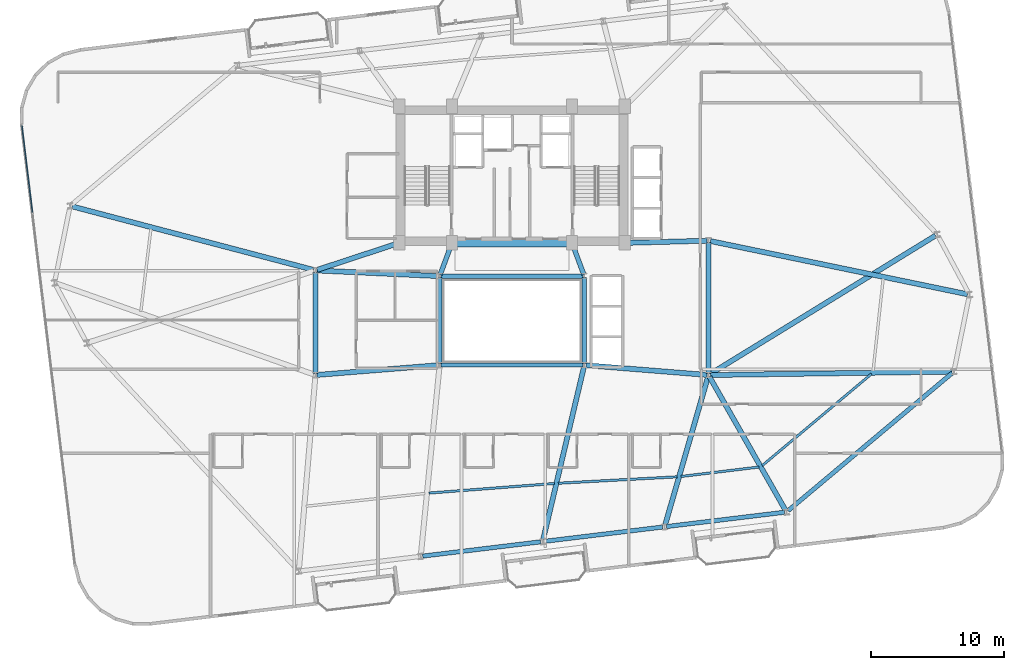
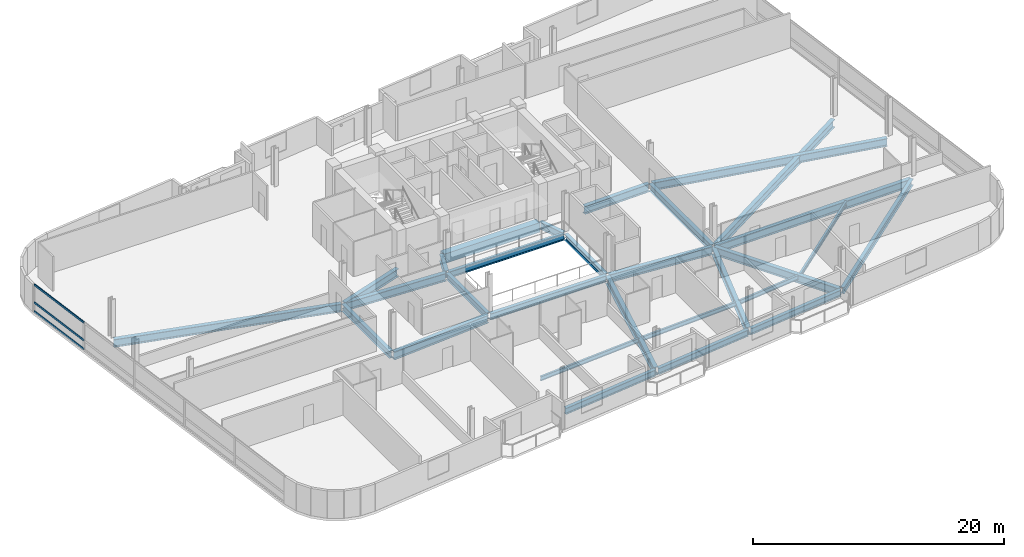
# One storey, part 7 of 22: 29 beams, 3 members, 1 element without a shape of its own.
"""IFC4 building model written with IfcOpenShell, lengths in metres."""

from ifc_helpers import new_model, si_unit, direction, frame, origin, origin_2d, place, context, subcontext, project, spatial, rectangle, hollow_rectangle, i_section, extrude, material, layer, layer_set, material_profile, profile_set, type_object, element, aggregate, save


model = new_model("IFC4")

# Units and contexts
model_context = context("Model", 3, precision=1e-05, world=origin(), true_north=direction((0.0, 1.0)))
body_context = subcontext(model_context, "Body", "Model", "MODEL_VIEW")
ifc_project = project(units=[si_unit("LENGTHUNIT", "METRE"), si_unit("AREAUNIT", "SQUARE_METRE"), si_unit("VOLUMEUNIT", "CUBIC_METRE"), si_unit("PLANEANGLEUNIT", "RADIAN"), si_unit("MASSUNIT", "GRAM", prefix="KILO")], contexts=[model_context])

# Site, building, storey
site_placement = place(None, origin())
site = spatial("IfcSite", under=ifc_project, at=site_placement, CompositionType="ELEMENT")
building_placement = place(site_placement, origin())
building = spatial("IfcBuilding", under=site, at=building_placement, Name="Varnelok Gate Tower", CompositionType="ELEMENT")
storey_placement = place(building_placement, frame((0.0, 0.0, 204.199951171875)))
storey = spatial("IfcBuildingStorey", under=building, at=storey_placement, Name="L52", CompositionType="ELEMENT", Elevation=204.199951171875)

# Beams
ifc_material_1 = material(Name="Structural Steel ASTM A992 Grade 50", Category="steel")
ifc_material_profile_1 = material_profile(ifc_material_1, i_section(OverallWidth=0.180908203125, OverallDepth=0.4169921875, WebThickness=0.010986328125, FlangeThickness=0.018310546875, FilletRadius=0.013916015625, at=origin_2d()), Name="W16X57")
ifc_profile_set_1 = profile_set([ifc_material_profile_1], Name="Structural Steel ASTM A992 Grade 50")
beam_type_1 = type_object("IfcBeamType", Name="BM-JST-W16X57", PredefinedType="JOIST", material=ifc_profile_set_1)
beam_1_placement = place(storey_placement, frame((32.93505859375, 9.91015625, -0.45849609375), z_axis=(0.997087655852, 0.076264058027, 0.0), x_axis=(-0.076264058027, 0.997087655852, 0.0)))
element("IfcBeam", 1, at=beam_1_placement, inside=storey, type_object=beam_type_1, Name="L52 Sector Floor Joist 2", PredefinedType="JOIST", context=body_context, shape_type="SweptSolid", body=[
    extrude(i_section(OverallWidth=0.180908203125, OverallDepth=0.4169921875, WebThickness=0.010986328125, FlangeThickness=0.018310546875, FilletRadius=0.013916015625, at=origin_2d()), origin(), (0.0, 0.0, 1.0), 9.498046875),
])
beam_2_placement = place(storey_placement, frame((42.684814453125, 10.65283203125, -0.45849609375), z_axis=(0.998548806547, 0.053854256504, 0.0), x_axis=(-0.053854256504, 0.998548806547, 0.0)))
element("IfcBeam", 2, at=beam_2_placement, inside=storey, type_object=beam_type_1, Name="L52 Sector Floor Joist 3", PredefinedType="JOIST", context=body_context, shape_type="SweptSolid", body=[
    extrude(i_section(OverallWidth=0.180908203125, OverallDepth=0.4169921875, WebThickness=0.010986328125, FlangeThickness=0.018310546875, FilletRadius=0.013916015625, at=origin_2d()), origin(), (0.0, 0.0, 1.0), 8.971435546875),
])
beam_3_placement = place(storey_placement, frame((51.922119140625, 11.160400390625, -0.45849609375), z_axis=(0.992731242801, 0.120352314337, 0.0), x_axis=(-0.120352314337, 0.992731242801, 0.0)))
element("IfcBeam", 3, at=beam_3_placement, inside=storey, type_object=beam_type_1, Name="L52 Sector Floor Joist 4", PredefinedType="JOIST", context=body_context, shape_type="SweptSolid", body=[
    extrude(i_section(OverallWidth=0.180908203125, OverallDepth=0.4169921875, WebThickness=0.010986328125, FlangeThickness=0.018310546875, FilletRadius=0.013916015625, at=origin_2d()), origin(), (0.0, 0.0, 1.0), 5.917236328125),
])
beam_4_placement = place(storey_placement, frame((58.042724609375, 11.9794921875, -0.45849609375), z_axis=(0.76609334983, 0.642729320434, 0.0), x_axis=(-0.642729320434, 0.76609334983, 0.0)))
element("IfcBeam", 4, at=beam_4_placement, inside=storey, type_object=beam_type_1, Name="L52 Sector Floor Joist 5", PredefinedType="JOIST", context=body_context, shape_type="SweptSolid", body=[
    extrude(i_section(OverallWidth=0.180908203125, OverallDepth=0.4169921875, WebThickness=0.010986328125, FlangeThickness=0.018310546875, FilletRadius=0.013916015625, at=origin_2d()), origin(), (0.0, 0.0, 1.0), 10.7421875),
])
ifc_material_2 = material(Name="Concrete C60/75", Category="concrete")
ifc_material_profile_2 = material_profile(ifc_material_2, rectangle(XDim=0.60009765625, YDim=0.949951171875, at=origin_2d()), Name="RC950X600")
ifc_profile_set_2 = profile_set([ifc_material_profile_2], Name="Concrete C60/75")
beam_type_2 = type_object("IfcBeamType", Name="BM-LNT-RC950", PredefinedType="LINTEL", material=ifc_profile_set_2)
beam_5_placement = place(storey_placement, frame((34.800048828125, 28.75, -0.724853515625), z_axis=(1.0, 0.0, 0.0), x_axis=(0.0, 1.0, 0.0)))
element("IfcBeam", 5, at=beam_5_placement, inside=storey, type_object=beam_type_2, Name="L52 Core-Atrium Spine Beam 7", PredefinedType="LINTEL", context=body_context, shape_type="SweptSolid", body=[
    extrude(rectangle(XDim=0.60009765625, YDim=0.949951171875, at=origin_2d()), origin(), (0.0, 0.0, 1.0), 8.800048828125),
])
ifc_material_profile_3 = material_profile(ifc_material_1, i_section(OverallWidth=0.35498046875, OverallDepth=0.696044921875, WebThickness=0.015380859375, FlangeThickness=0.02490234375, FilletRadius=0.02001953125, at=origin_2d()), Name="W27X146")
ifc_profile_set_3 = profile_set([ifc_material_profile_3], Name="Structural Steel ASTM A992 Grade 50")
beam_type_3 = type_object("IfcBeamType", Name="BM-PRI-W27X146", PredefinedType="BEAM", material=ifc_profile_set_3)
for number, where, z_axis, x_axis, name in (
    (6, (33.791748046875, 26.362548828125, -0.597900390625), (0.348719329408, 0.937227202602, 0.0), (-0.937227202602, 0.348719329408, 0.0), "L52 Core-Atrium Spine Beam 12"),
    (7, (44.608154296875, 26.362548828125, -0.597900390625), (-0.348719329408, 0.937227202602, 0.0), (-0.937227202602, -0.348719329408, 0.0), "L52 Core-Atrium Spine Beam 13"),
):
    element("IfcBeam", number, at=place(storey_placement, frame(where, z_axis=z_axis, x_axis=x_axis)), inside=storey, type_object=beam_type_3, Name=name, PredefinedType="BEAM", context=body_context, shape_type="SweptSolid", body=[
        extrude(i_section(OverallWidth=0.35498046875, OverallDepth=0.696044921875, WebThickness=0.015380859375, FlangeThickness=0.02490234375, FilletRadius=0.02001953125, at=origin_2d()), origin(), (0.0, 0.0, 1.0), 2.42724609375),
    ])
beam_6_placement = place(storey_placement, frame((24.39990234375, 18.919921875, -0.597900390625), z_axis=(0.0, 1.0, 0.0), x_axis=(-1.0, 0.0, 0.0)))
element("IfcBeam", 8, at=beam_6_placement, inside=storey, type_object=beam_type_3, Name="L52 Core-Atrium Spine Beam 16", PredefinedType="BEAM", context=body_context, shape_type="SweptSolid", body=[
    extrude(i_section(OverallWidth=0.35498046875, OverallDepth=0.696044921875, WebThickness=0.015380859375, FlangeThickness=0.02490234375, FilletRadius=0.02001953125, at=origin_2d()), origin(), (0.0, 0.0, 1.0), 7.64013671875),
])
beam_7_placement = place(storey_placement, frame((54.0, 18.919921875, -0.597900390625), z_axis=(0.0, 1.0, 0.0), x_axis=(-1.0, 0.0, 0.0)))
element("IfcBeam", 9, at=beam_7_placement, inside=storey, type_object=beam_type_3, Name="L52 Core-Atrium Spine Beam 20", PredefinedType="BEAM", context=body_context, shape_type="SweptSolid", body=[
    extrude(i_section(OverallWidth=0.35498046875, OverallDepth=0.696044921875, WebThickness=0.015380859375, FlangeThickness=0.02490234375, FilletRadius=0.02001953125, at=origin_2d()), origin(), (0.0, 0.0, 1.0), 9.880126953125),
])
ifc_material_profile_4 = material_profile(ifc_material_1, i_section(OverallWidth=0.381103515625, OverallDepth=0.77294921875, WebThickness=0.0166015625, FlangeThickness=0.027099609375, FilletRadius=0.02197265625, at=origin_2d()), Name="W30X173")
ifc_profile_set_4 = profile_set([ifc_material_profile_4], Name="Structural Steel ASTM A992 Grade 50")
beam_type_4 = type_object("IfcBeamType", Name="BM-PRI-W30X173", PredefinedType="BEAM", material=ifc_profile_set_4)
beam_8_placement = place(storey_placement, frame((24.51953125, 18.8095703125, -0.636474609375), z_axis=(0.996799206292, 0.07994587128, 0.0), x_axis=(-0.07994587128, 0.996799206292, 0.0)))
element("IfcBeam", 10, at=beam_8_placement, inside=storey, type_object=beam_type_4, Name="L52 Core-Atrium Spine Beam 14", PredefinedType="BEAM", context=body_context, shape_type="SweptSolid", body=[
    extrude(i_section(OverallWidth=0.381103515625, OverallDepth=0.77294921875, WebThickness=0.0166015625, FlangeThickness=0.027099609375, FilletRadius=0.02197265625, at=origin_2d()), origin(), (0.0, 0.0, 1.0), 9.14013671875),
])
beam_9_placement = place(storey_placement, frame((24.52001953125, 26.674560546875, -0.636474609375), z_axis=(0.99894427814, -0.045938319209, 0.0), x_axis=(0.045938319209, 0.99894427814, 0.0)))
element("IfcBeam", 11, at=beam_9_placement, inside=storey, type_object=beam_type_4, Name="L52 Core-Atrium Spine Beam 15", PredefinedType="BEAM", context=body_context, shape_type="SweptSolid", body=[
    extrude(i_section(OverallWidth=0.381103515625, OverallDepth=0.77294921875, WebThickness=0.0166015625, FlangeThickness=0.027099609375, FilletRadius=0.02197265625, at=origin_2d()), origin(), (0.0, 0.0, 1.0), 9.11962890625),
])
beam_10_placement = place(storey_placement, frame((24.513916015625, 26.717529296875, -0.636474609375), z_axis=(0.950041943788, 0.312122259768, 0.0), x_axis=(-0.312122259768, 0.950041943788, 0.0)))
element("IfcBeam", 12, at=beam_10_placement, inside=storey, type_object=beam_type_4, Name="L52 Core-Atrium Spine Beam 17", PredefinedType="BEAM", context=body_context, shape_type="SweptSolid", body=[
    extrude(i_section(OverallWidth=0.381103515625, OverallDepth=0.77294921875, WebThickness=0.0166015625, FlangeThickness=0.027099609375, FilletRadius=0.02197265625, at=origin_2d()), origin(), (0.0, 0.0, 1.0), 6.391357421875),
])
beam_11_placement = place(storey_placement, frame((44.76953125, 19.540283203125, -0.636474609375), z_axis=(0.996799206292, -0.07994587128, 0.0), x_axis=(0.07994587128, 0.996799206292, 0.0)))
element("IfcBeam", 13, at=beam_11_placement, inside=storey, type_object=beam_type_4, Name="L52 Core-Atrium Spine Beam 18", PredefinedType="BEAM", context=body_context, shape_type="SweptSolid", body=[
    extrude(i_section(OverallWidth=0.381103515625, OverallDepth=0.77294921875, WebThickness=0.0166015625, FlangeThickness=0.027099609375, FilletRadius=0.02197265625, at=origin_2d()), origin(), (0.0, 0.0, 1.0), 9.14013671875),
])
beam_12_placement = place(storey_placement, frame((47.820068359375, 28.753173828125, -0.636474609375), z_axis=(0.999635880609, 0.026983443053, 0.0), x_axis=(-0.026983443053, 0.999635880609, 0.0)))
element("IfcBeam", 14, at=beam_12_placement, inside=storey, type_object=beam_type_4, Name="L52 Core-Atrium Spine Beam 19", PredefinedType="BEAM", context=body_context, shape_type="SweptSolid", body=[
    extrude(i_section(OverallWidth=0.381103515625, OverallDepth=0.77294921875, WebThickness=0.0166015625, FlangeThickness=0.027099609375, FilletRadius=0.02197265625, at=origin_2d()), origin(), (0.0, 0.0, 1.0), 6.06201171875),
])
beam_13_placement = place(storey_placement, frame((44.615478515625, 19.404052734375, -0.636474609375), z_axis=(-0.230051892852, -0.973178363197, 0.0), x_axis=(0.973178363197, -0.230051892852, 0.0)))
element("IfcBeam", 15, at=beam_13_placement, inside=storey, type_object=beam_type_4, Name="L52 Radial Floor Girder 3", PredefinedType="BEAM", context=body_context, shape_type="SweptSolid", body=[
    extrude(i_section(OverallWidth=0.381103515625, OverallDepth=0.77294921875, WebThickness=0.0166015625, FlangeThickness=0.027099609375, FilletRadius=0.02197265625, at=origin_2d()), origin(), (0.0, 0.0, 1.0), 13.356689453125),
])
beam_14_placement = place(storey_placement, frame((53.958251953125, 18.656005859375, -0.636474609375), z_axis=(-0.278139351158, -0.960540733825, 0.0), x_axis=(0.960540733825, -0.278139351158, 0.0)))
element("IfcBeam", 16, at=beam_14_placement, inside=storey, type_object=beam_type_4, Name="L52 Radial Floor Girder 4", PredefinedType="BEAM", context=body_context, shape_type="SweptSolid", body=[
    extrude(i_section(OverallWidth=0.381103515625, OverallDepth=0.77294921875, WebThickness=0.0166015625, FlangeThickness=0.027099609375, FilletRadius=0.02197265625, at=origin_2d()), origin(), (0.0, 0.0, 1.0), 11.596923828125),
])
beam_15_placement = place(storey_placement, frame((54.07421875, 18.669677734375, -0.636474609375), z_axis=(0.494868053933, -0.868968128988, 0.0), x_axis=(0.868968128988, 0.494868053933, 0.0)))
element("IfcBeam", 17, at=beam_15_placement, inside=storey, type_object=beam_type_4, Name="L52 Radial Floor Girder 5", PredefinedType="BEAM", context=body_context, shape_type="SweptSolid", body=[
    extrude(i_section(OverallWidth=0.381103515625, OverallDepth=0.77294921875, WebThickness=0.0166015625, FlangeThickness=0.027099609375, FilletRadius=0.02197265625, at=origin_2d()), origin(), (0.0, 0.0, 1.0), 11.5693359375),
])
beam_16_placement = place(storey_placement, frame((54.14990234375, 18.802001953125, -0.636474609375), z_axis=(0.999901514109, 0.014034318056, 0.0), x_axis=(-0.014034318056, 0.999901514109, 0.0)))
element("IfcBeam", 18, at=beam_16_placement, inside=storey, type_object=beam_type_4, Name="L52 Radial Floor Girder 6", PredefinedType="BEAM", context=body_context, shape_type="SweptSolid", body=[
    extrude(i_section(OverallWidth=0.381103515625, OverallDepth=0.77294921875, WebThickness=0.0166015625, FlangeThickness=0.027099609375, FilletRadius=0.02197265625, at=origin_2d()), origin(), (0.0, 0.0, 1.0), 18.1787109375),
])
beam_17_placement = place(storey_placement, frame((54.14697265625, 28.8896484375, -0.636474609375), z_axis=(0.979255265667, -0.202630512665, 0.0), x_axis=(0.202630512665, 0.979255265667, 0.0)))
element("IfcBeam", 19, at=beam_17_placement, inside=storey, type_object=beam_type_4, Name="L52 Radial Floor Girder 7", PredefinedType="BEAM", context=body_context, shape_type="SweptSolid", body=[
    extrude(i_section(OverallWidth=0.381103515625, OverallDepth=0.77294921875, WebThickness=0.0166015625, FlangeThickness=0.027099609375, FilletRadius=0.02197265625, at=origin_2d()), origin(), (0.0, 0.0, 1.0), 19.7705078125),
])
beam_18_placement = place(storey_placement, frame((54.127685546875, 18.87841796875, -0.636474609375), z_axis=(0.852014595228, 0.523518031703, 0.0), x_axis=(-0.523518031703, 0.852014595228, 0.0)))
element("IfcBeam", 20, at=beam_18_placement, inside=storey, type_object=beam_type_4, Name="L52 Radial Floor Girder 8", PredefinedType="BEAM", context=body_context, shape_type="SweptSolid", body=[
    extrude(i_section(OverallWidth=0.381103515625, OverallDepth=0.77294921875, WebThickness=0.0166015625, FlangeThickness=0.027099609375, FilletRadius=0.02197265625, at=origin_2d()), origin(), (0.0, 0.0, 1.0), 19.917236328125),
])
beam_19_placement = place(storey_placement, frame((24.2548828125, 26.71826171875, -0.636474609375), z_axis=(-0.967098244451, 0.254403194908, 0.0), x_axis=(-0.254403194908, -0.967098244451, 0.0)))
element("IfcBeam", 21, at=beam_19_placement, inside=storey, type_object=beam_type_4, Name="L52 Radial Floor Girder 14", PredefinedType="BEAM", context=body_context, shape_type="SweptSolid", body=[
    extrude(i_section(OverallWidth=0.381103515625, OverallDepth=0.77294921875, WebThickness=0.0166015625, FlangeThickness=0.027099609375, FilletRadius=0.02197265625, at=origin_2d()), origin(), (0.0, 0.0, 1.0), 18.805419921875),
])
ifc_material_profile_5 = material_profile(ifc_material_1, i_section(OverallWidth=0.323974609375, OverallDepth=0.611083984375, WebThickness=0.0126953125, FlangeThickness=0.01904296875, FilletRadius=0.01806640625, at=origin_2d()), Name="W24X104")
ifc_profile_set_5 = profile_set([ifc_material_profile_5], Name="Structural Steel ASTM A992 Grade 50")
beam_type_5 = type_object("IfcBeamType", Name="BM-SPN-W24X104", PredefinedType="SPANDREL", material=ifc_profile_set_5)
for number, where, z_axis, x_axis, name in (
    (22, (33.8701171875, 19.550048828125, -0.555419921875), (1.0, 0.0, 0.0), (0.0, 1.0, 0.0), "L52 Core-Atrium Spine Beam 8"),
    (23, (33.8701171875, 26.25, -0.555419921875), (1.0, 0.0, 0.0), (0.0, 1.0, 0.0), "L52 Core-Atrium Spine Beam 9"),
):
    element("IfcBeam", number, at=place(storey_placement, frame(where, z_axis=z_axis, x_axis=x_axis)), inside=storey, type_object=beam_type_5, Name=name, PredefinedType="SPANDREL", context=body_context, shape_type="SweptSolid", body=[
        extrude(i_section(OverallWidth=0.323974609375, OverallDepth=0.611083984375, WebThickness=0.0126953125, FlangeThickness=0.01904296875, FilletRadius=0.01806640625, at=origin_2d()), origin(), (0.0, 0.0, 1.0), 10.659912109375),
    ])
for number, where, z_axis, x_axis, name in (
    (24, (33.75, 19.669921875, -0.555419921875), (0.0, 1.0, 0.0), (-1.0, 0.0, 0.0), "L52 Core-Atrium Spine Beam 10"),
    (25, (44.64990234375, 19.669921875, -0.555419921875), (0.0, 1.0, 0.0), (-1.0, 0.0, 0.0), "L52 Core-Atrium Spine Beam 11"),
):
    element("IfcBeam", number, at=place(storey_placement, frame(where, z_axis=z_axis, x_axis=x_axis)), inside=storey, type_object=beam_type_5, Name=name, PredefinedType="SPANDREL", context=body_context, shape_type="SweptSolid", body=[
        extrude(i_section(OverallWidth=0.323974609375, OverallDepth=0.611083984375, WebThickness=0.0126953125, FlangeThickness=0.01904296875, FilletRadius=0.01806640625, at=origin_2d()), origin(), (0.0, 0.0, 1.0), 6.4599609375),
    ])
for number, where, z_axis, x_axis, name in (
    (26, (32.474365234375, 5.164306640625, -0.555419921875), (0.992734670707, 0.120324035735, 0.0), (-0.120324035735, 0.992734670707, 0.0), "L52 Perimeter Spandrel Beam 2"),
    (27, (41.656982421875, 6.277587890625, -0.555419921875), (0.992734670707, 0.120324035735, 0.0), (-0.120324035735, 0.992734670707, 0.0), "L52 Perimeter Spandrel Beam 3"),
    (28, (50.83984375, 7.390625, -0.555419921875), (0.99273141198, 0.120350918849, 0.0), (-0.120350918849, 0.99273141198, 0.0), "L52 Perimeter Spandrel Beam 4"),
):
    element("IfcBeam", number, at=place(storey_placement, frame(where, z_axis=z_axis, x_axis=x_axis)), inside=storey, type_object=beam_type_5, Name=name, PredefinedType="SPANDREL", context=body_context, shape_type="SweptSolid", body=[
        extrude(i_section(OverallWidth=0.323974609375, OverallDepth=0.611083984375, WebThickness=0.0126953125, FlangeThickness=0.01904296875, FilletRadius=0.01806640625, at=origin_2d()), origin(), (0.0, 0.0, 1.0), 8.949951171875),
    ])
beam_20_placement = place(storey_placement, frame((59.98876953125, 8.582275390625, -0.555419921875), z_axis=(0.766099582792, 0.642721891059, 0.0), x_axis=(-0.642721891059, 0.766099582792, 0.0)))
element("IfcBeam", 29, at=beam_20_placement, inside=storey, type_object=beam_type_5, Name="L52 Perimeter Spandrel Beam 5", PredefinedType="SPANDREL", context=body_context, shape_type="SweptSolid", body=[
    extrude(i_section(OverallWidth=0.323974609375, OverallDepth=0.611083984375, WebThickness=0.0126953125, FlangeThickness=0.01904296875, FilletRadius=0.01806640625, at=origin_2d()), origin(), (0.0, 0.0, 1.0), 16.151123046875),
])

# Curtain wall, members
ifc_material_3 = material(Name="Anodized Aluminum Alloy 6063-T6", Category="aluminium")
ifc_layer = layer(ifc_material_3, 0.179931640625)
ifc_layer_set = layer_set([ifc_layer], Name="Anodized Aluminum Alloy 6063-T6")
curtain_wall_type = type_object("IfcCurtainWallType", Name="CW4-RESIDENCE-VISION", PredefinedType="USERDEFINED", material=ifc_layer_set)
curtain_wall_placement = place(storey_placement, origin())
curtain_wall = element("IfcCurtainWall", 30, at=curtain_wall_placement, inside=storey, type_object=curtain_wall_type, Name="L52 West End Vision Curtain Wall", ObjectType="UNITISED CURTAIN WALL", PredefinedType="USERDEFINED")
ifc_material_profile_6 = material_profile(ifc_material_3, hollow_rectangle(XDim=0.074951171875, YDim=0.199951171875, WallThickness=0.00390625, at=origin_2d()), Name="ALU200X75X4")
ifc_profile_set_6 = profile_set([ifc_material_profile_6], Name="Anodized Aluminum Alloy 6063-T6")
member_type = type_object("IfcMemberType", Name="CW-TRAN-200", PredefinedType="USERDEFINED", material=ifc_profile_set_6)
member_1_placement = place(storey_placement, frame((3.085205078125, 31.052978515625, 0.03759765625), z_axis=(-0.120332477695, 0.992733647466, 0.0), x_axis=(-0.992733647466, -0.120332477695, 0.0)))
member_1 = element("IfcMember", 31, at=member_1_placement, type_object=member_type, Name="CW4 transom 5.1", ObjectType="TRANSOM", PredefinedType="USERDEFINED", context=body_context, shape_type="SweptSolid", body=[
    extrude(hollow_rectangle(XDim=0.074951171875, YDim=0.199951171875, WallThickness=0.00390625, at=origin_2d()), origin(), (0.0, 0.0, 1.0), 6.5673828125),
])
member_2_placement = place(storey_placement, frame((3.085205078125, 31.052978515625, 0.900146484375), z_axis=(-0.120332477695, 0.992733647466, 0.0), x_axis=(-0.992733647466, -0.120332477695, 0.0)))
member_2 = element("IfcMember", 32, at=member_2_placement, type_object=member_type, Name="CW4 transom 5.2", ObjectType="TRANSOM", PredefinedType="USERDEFINED", context=body_context, shape_type="SweptSolid", body=[
    extrude(hollow_rectangle(XDim=0.074951171875, YDim=0.199951171875, WallThickness=0.00390625, at=origin_2d()), origin(), (0.0, 0.0, 1.0), 6.5673828125),
])
member_3_placement = place(storey_placement, frame((3.085205078125, 31.052978515625, 2.62255859375), z_axis=(-0.120332477695, 0.992733647466, 0.0), x_axis=(-0.992733647466, -0.120332477695, 0.0)))
member_3 = element("IfcMember", 33, at=member_3_placement, type_object=member_type, Name="CW4 transom 5.3", ObjectType="TRANSOM", PredefinedType="USERDEFINED", context=body_context, shape_type="SweptSolid", body=[
    extrude(hollow_rectangle(XDim=0.074951171875, YDim=0.199951171875, WallThickness=0.00390625, at=origin_2d()), origin(), (0.0, 0.0, 1.0), 6.5673828125),
])
aggregate(curtain_wall, [member_1, member_2, member_3])

save(model, "model.ifc")
